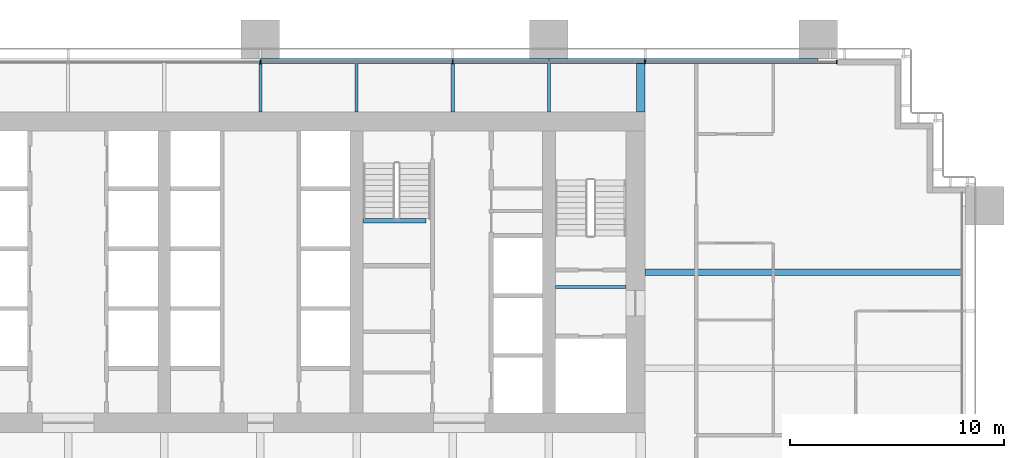
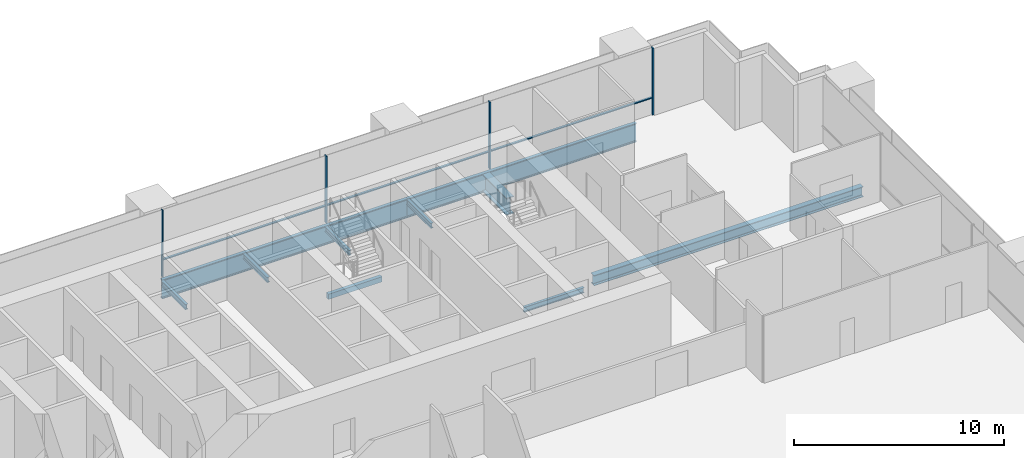
# One storey, part 8 of 19: 10 beams, 7 members, 1 element without a shape of its own.
"""IFC4 building model written with IfcOpenShell, lengths in metres."""

from ifc_helpers import new_model, si_unit, direction, frame, origin, origin_2d, place, context, subcontext, project, spatial, rectangle, i_section, extrude, material, material_profile, profile_set, type_object, element, aggregate, save


model = new_model("IFC4")

# Units and contexts
model_context = context("Model", 3, precision=1e-05, world=origin(), true_north=direction((0.0, 1.0)))
body_context = subcontext(model_context, "Body", "Model", "MODEL_VIEW")
ifc_project = project(units=[si_unit("LENGTHUNIT", "METRE"), si_unit("AREAUNIT", "SQUARE_METRE"), si_unit("VOLUMEUNIT", "CUBIC_METRE"), si_unit("PLANEANGLEUNIT", "RADIAN"), si_unit("MASSUNIT", "GRAM", prefix="KILO")], contexts=[model_context])

# Site, building, storey
site_placement = place(None, origin())
site = spatial("IfcSite", under=ifc_project, at=site_placement, CompositionType="ELEMENT")
building_placement = place(site_placement, origin())
building = spatial("IfcBuilding", under=site, at=building_placement, Name="Rattan Terrace Tower", CompositionType="ELEMENT")
storey_placement = place(building_placement, frame((0.0, 0.0, 52.89990234375)))
storey = spatial("IfcBuildingStorey", under=building, at=storey_placement, Name="L11", CompositionType="ELEMENT", Elevation=52.89990234375)

# Beam
ifc_material_1 = material(Name="Concrete C40/50", Category="concrete")
ifc_material_profile_1 = material_profile(ifc_material_1, rectangle(XDim=0.199951171875, YDim=0.300048828125, at=origin_2d()), Name="RC 200x300")
ifc_profile_set_1 = profile_set([ifc_material_profile_1], Name="Concrete C40/50")
beam_type_1 = type_object("IfcBeamType", Name="Core landing beam RC 200x300", PredefinedType="BEAM", material=ifc_profile_set_1)
beam_1_placement = place(storey_placement, frame((4.800048828125, 2.39990234375, 1.7001953125), z_axis=(1.0, 0.0, 0.0), x_axis=(0.0, 1.0, 0.0)))
element("IfcBeam", 1, at=beam_1_placement, inside=storey, type_object=beam_type_1, Name="st-S3-L11 landing 1 edge beam", PredefinedType="BEAM", context=body_context, shape_type="SweptSolid", body=[
    extrude(rectangle(XDim=0.199951171875, YDim=0.300048828125, at=origin_2d()), origin(), (0.0, 0.0, 1.0), 2.949951171875),
])

# Curtain wall, members
ifc_material_2 = material(Name="Aluminium and glass", Category="aluminium")
curtain_wall_type = type_object("IfcCurtainWallType", Name="Facade Unitised Curtain Wall", PredefinedType="NOTDEFINED", material=ifc_material_2)
curtain_wall_placement = place(storey_placement, origin())
curtain_wall = element("IfcCurtainWall", 2, at=curtain_wall_placement, inside=storey, type_object=curtain_wall_type, Name="Curtain wall L11-2", PredefinedType="NOTDEFINED")
ifc_material_3 = material(Name="Aluminium", Category="aluminium")
ifc_material_profile_2 = material_profile(ifc_material_3, rectangle(XDim=0.06005859375, YDim=0.159912109375, at=origin_2d()), Name="Aluminium 60x160")
ifc_profile_set_2 = profile_set([ifc_material_profile_2], Name="Aluminium")
member_type_1 = type_object("IfcMemberType", Name="Facade CW Mullion 60x160", PredefinedType="MULLION", material=ifc_profile_set_2)
member_1_placement = place(storey_placement, frame((26.969970703125, 9.830078125, 0.0), z_axis=(0.0, 0.0, 1.0), x_axis=(-1.0, 0.0, 0.0)))
member_1 = element("IfcMember", 3, at=member_1_placement, type_object=member_type_1, Name="Mullion cwl-L11-002.1", PredefinedType="MULLION", context=body_context, shape_type="SweptSolid", body=[
    extrude(rectangle(XDim=0.06005859375, YDim=0.159912109375, at=origin_2d()), origin(), (0.0, 0.0, 1.0), 3.900146484375),
])
member_2_placement = place(storey_placement, frame((18.0, 9.830078125, 0.0), z_axis=(0.0, 0.0, 1.0), x_axis=(-1.0, 0.0, 0.0)))
member_2 = element("IfcMember", 4, at=member_2_placement, type_object=member_type_1, Name="Mullion cwl-L11-002.2", PredefinedType="MULLION", context=body_context, shape_type="SweptSolid", body=[
    extrude(rectangle(XDim=0.06005859375, YDim=0.159912109375, at=origin_2d()), origin(), (0.0, 0.0, 1.0), 3.900146484375),
])
member_3_placement = place(storey_placement, frame((9.0, 9.830078125, 0.0), z_axis=(0.0, 0.0, 1.0), x_axis=(-1.0, 0.0, 0.0)))
member_3 = element("IfcMember", 5, at=member_3_placement, type_object=member_type_1, Name="Mullion cwl-L11-002.3", PredefinedType="MULLION", context=body_context, shape_type="SweptSolid", body=[
    extrude(rectangle(XDim=0.06005859375, YDim=0.159912109375, at=origin_2d()), origin(), (0.0, 0.0, 1.0), 3.900146484375),
])
member_4_placement = place(storey_placement, frame((0.0, 9.830078125, 0.0), z_axis=(0.0, 0.0, 1.0), x_axis=(-1.0, 0.0, 0.0)))
member_4 = element("IfcMember", 6, at=member_4_placement, type_object=member_type_1, Name="Mullion cwl-L11-002.4", PredefinedType="MULLION", context=body_context, shape_type="SweptSolid", body=[
    extrude(rectangle(XDim=0.06005859375, YDim=0.159912109375, at=origin_2d()), origin(), (0.0, 0.0, 1.0), 3.900146484375),
])
ifc_material_4 = material(Name="Aluminium", Category="aluminium")
ifc_material_profile_3 = material_profile(ifc_material_4, rectangle(XDim=0.1201171875, YDim=0.06005859375, at=origin_2d()), Name="Aluminium 120x60")
ifc_profile_set_3 = profile_set([ifc_material_profile_3], Name="Aluminium")
member_type_2 = type_object("IfcMemberType", Name="Facade CW Transom 120x60", PredefinedType="USERDEFINED", material=ifc_profile_set_3)
member_5_placement = place(storey_placement, frame((26.93994140625, 9.830078125, 1.0), z_axis=(-1.0, 0.0, 0.0), x_axis=(0.0, -1.0, 0.0)))
member_5 = element("IfcMember", 7, at=member_5_placement, type_object=member_type_2, Name="Transom cwl-L11-002.1", ObjectType="TRANSOM", PredefinedType="USERDEFINED", context=body_context, shape_type="SweptSolid", body=[
    extrude(rectangle(XDim=0.1201171875, YDim=0.06005859375, at=origin_2d()), origin(), (0.0, 0.0, 1.0), 8.909912109375),
])
member_6_placement = place(storey_placement, frame((17.969970703125, 9.830078125, 1.0), z_axis=(-1.0, 0.0, 0.0), x_axis=(0.0, -1.0, 0.0)))
member_6 = element("IfcMember", 8, at=member_6_placement, type_object=member_type_2, Name="Transom cwl-L11-002.2", ObjectType="TRANSOM", PredefinedType="USERDEFINED", context=body_context, shape_type="SweptSolid", body=[
    extrude(rectangle(XDim=0.1201171875, YDim=0.06005859375, at=origin_2d()), origin(), (0.0, 0.0, 1.0), 8.93994140625),
])
member_7_placement = place(storey_placement, frame((8.969970703125, 9.830078125, 1.0), z_axis=(-1.0, 0.0, 0.0), x_axis=(0.0, -1.0, 0.0)))
member_7 = element("IfcMember", 9, at=member_7_placement, type_object=member_type_2, Name="Transom cwl-L11-002.3", ObjectType="TRANSOM", PredefinedType="USERDEFINED", context=body_context, shape_type="SweptSolid", body=[
    extrude(rectangle(XDim=0.1201171875, YDim=0.06005859375, at=origin_2d()), origin(), (0.0, 0.0, 1.0), 8.93994140625),
])
aggregate(curtain_wall, [member_1, member_2, member_3, member_4, member_5, member_6, member_7])

# Beams
ifc_material_5 = material(Name="Steel S460", Category="steel")
ifc_material_profile_4 = material_profile(ifc_material_5, i_section(OverallWidth=0.39990234375, OverallDepth=1.0, WebThickness=0.01806640625, FlangeThickness=0.044921875, at=origin_2d()), Name="PG 1000x400-18-45")
ifc_profile_set_4 = profile_set([ifc_material_profile_4], Name="Steel S460")
beam_type_2 = type_object("IfcBeamType", Name="Frame core girder PG 1000x400-18-45", PredefinedType="BEAM", material=ifc_profile_set_4)
beam_2_placement = place(storey_placement, frame((17.800048828125, 7.5, -0.699951171875), z_axis=(0.0, 1.0, 0.0), x_axis=(-1.0, 0.0, 0.0)))
element("IfcBeam", 10, at=beam_2_placement, inside=storey, type_object=beam_type_2, Name="gdr-L11-016", PredefinedType="BEAM", context=body_context, shape_type="SweptSolid", body=[
    extrude(i_section(OverallWidth=0.39990234375, OverallDepth=1.0, WebThickness=0.01806640625, FlangeThickness=0.044921875, at=origin_2d()), origin(), (0.0, 0.0, 1.0), 2.320068359375),
])
ifc_material_6 = material(Name="Steel S460", Category="steel")
ifc_material_profile_5 = material_profile(ifc_material_6, i_section(OverallWidth=0.179931640625, OverallDepth=1.10009765625, WebThickness=0.01611328125, FlangeThickness=0.050048828125, at=origin_2d()), Name="PG 1100x180-16-50")
ifc_profile_set_5 = profile_set([ifc_material_profile_5], Name="Steel S460")
beam_type_3 = type_object("IfcBeamType", Name="Frame edge girder PG 1100x180-16-50", PredefinedType="SPANDREL", material=ifc_profile_set_5)
beam_3_placement = place(storey_placement, frame((13.5, 9.909912109375, -0.75), z_axis=(-1.0, 0.0, 0.0), x_axis=(0.0, -1.0, 0.0)))
element("IfcBeam", 11, at=beam_3_placement, inside=storey, type_object=beam_type_3, Name="gdr-L11-011", PredefinedType="SPANDREL", context=body_context, shape_type="SweptSolid", body=[
    extrude(i_section(OverallWidth=0.179931640625, OverallDepth=1.10009765625, WebThickness=0.01611328125, FlangeThickness=0.050048828125, at=origin_2d()), origin(), (0.0, 0.0, 1.0), 13.5),
])
beam_4_placement = place(storey_placement, frame((26.10009765625, 9.909912109375, -0.75), z_axis=(-1.0, 0.0, 0.0), x_axis=(0.0, -1.0, 0.0)))
element("IfcBeam", 12, at=beam_4_placement, inside=storey, type_object=beam_type_3, Name="gdr-L11-012", PredefinedType="SPANDREL", context=body_context, shape_type="SweptSolid", body=[
    extrude(i_section(OverallWidth=0.179931640625, OverallDepth=1.10009765625, WebThickness=0.01611328125, FlangeThickness=0.050048828125, at=origin_2d()), origin(), (0.0, 0.0, 1.0), 12.60009765625),
])
ifc_material_7 = material(Name="Steel S355", Category="steel")
ifc_material_profile_6 = material_profile(ifc_material_7, i_section(OverallWidth=0.300048828125, OverallDepth=0.60009765625, WebThickness=0.015380859375, FlangeThickness=0.030029296875, FilletRadius=0.027099609375, at=origin_2d()), Name="HE 600 B")
ifc_profile_set_6 = profile_set([ifc_material_profile_6], Name="Steel S355")
beam_type_4 = type_object("IfcBeamType", Name="Frame floor beam HE 600 B", PredefinedType="JOIST", material=ifc_profile_set_6)
beam_5_placement = place(storey_placement, frame((18.0, 0.0, -0.5), z_axis=(1.0, 0.0, 0.0), x_axis=(0.0, 1.0, 0.0)))
element("IfcBeam", 13, at=beam_5_placement, inside=storey, type_object=beam_type_4, Name="bm-L11-023", PredefinedType="JOIST", context=body_context, shape_type="SweptSolid", body=[
    extrude(i_section(OverallWidth=0.300048828125, OverallDepth=0.60009765625, WebThickness=0.015380859375, FlangeThickness=0.030029296875, FilletRadius=0.027099609375, at=origin_2d()), origin(), (0.0, 0.0, 1.0), 14.820068359375),
])
ifc_material_8 = material(Name="Steel S355", Category="steel")
ifc_material_profile_7 = material_profile(ifc_material_8, i_section(OverallWidth=0.14990234375, OverallDepth=0.300048828125, WebThickness=0.007080078125, FlangeThickness=0.0107421875, FilletRadius=0.014892578125, at=origin_2d()), Name="IPE 300")
ifc_profile_set_7 = profile_set([ifc_material_profile_7], Name="Steel S355")
beam_type_5 = type_object("IfcBeamType", Name="Frame floor beam IPE 300", PredefinedType="JOIST", material=ifc_profile_set_7)
beam_6_placement = place(storey_placement, frame((13.800048828125, -0.695068359375, -0.349853515625), z_axis=(1.0, 0.0, 0.0), x_axis=(0.0, 1.0, 0.0)))
element("IfcBeam", 14, at=beam_6_placement, inside=storey, type_object=beam_type_5, Name="bm-L11-002", PredefinedType="JOIST", context=body_context, shape_type="SweptSolid", body=[
    extrude(i_section(OverallWidth=0.14990234375, OverallDepth=0.300048828125, WebThickness=0.007080078125, FlangeThickness=0.0107421875, FilletRadius=0.014892578125, at=origin_2d()), origin(), (0.0, 0.0, 1.0), 3.300048828125),
])
for number, where, z_axis, x_axis, name in (
    (15, (0.0, 7.5, -0.349853515625), (0.0, 1.0, 0.0), (-1.0, 0.0, 0.0), "bm-L11-027"),
    (16, (4.5, 7.5, -0.349853515625), (0.0, 1.0, 0.0), (-1.0, 0.0, 0.0), "bm-L11-028"),
    (17, (9.0, 7.5, -0.349853515625), (0.0, 1.0, 0.0), (-1.0, 0.0, 0.0), "bm-L11-029"),
    (18, (13.5, 7.5, -0.349853515625), (0.0, 1.0, 0.0), (-1.0, 0.0, 0.0), "bm-L11-030"),
):
    element("IfcBeam", number, at=place(storey_placement, frame(where, z_axis=z_axis, x_axis=x_axis)), inside=storey, type_object=beam_type_5, Name=name, PredefinedType="JOIST", context=body_context, shape_type="SweptSolid", body=[
        extrude(i_section(OverallWidth=0.14990234375, OverallDepth=0.300048828125, WebThickness=0.007080078125, FlangeThickness=0.0107421875, FilletRadius=0.014892578125, at=origin_2d()), origin(), (0.0, 0.0, 1.0), 2.320068359375),
    ])

save(model, "model.ifc")
